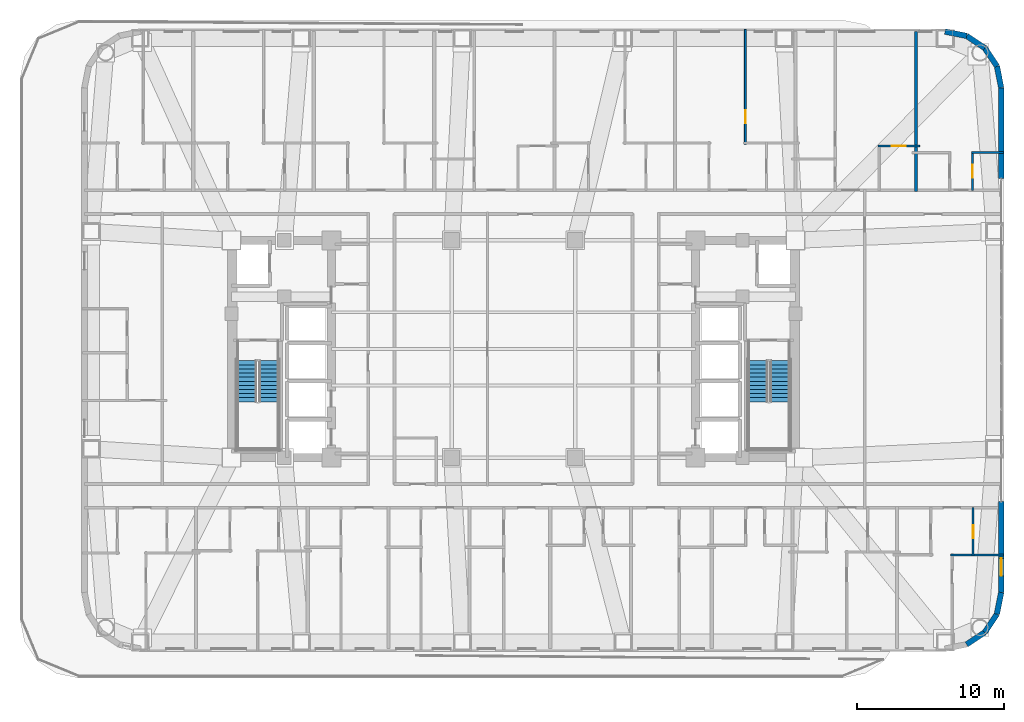
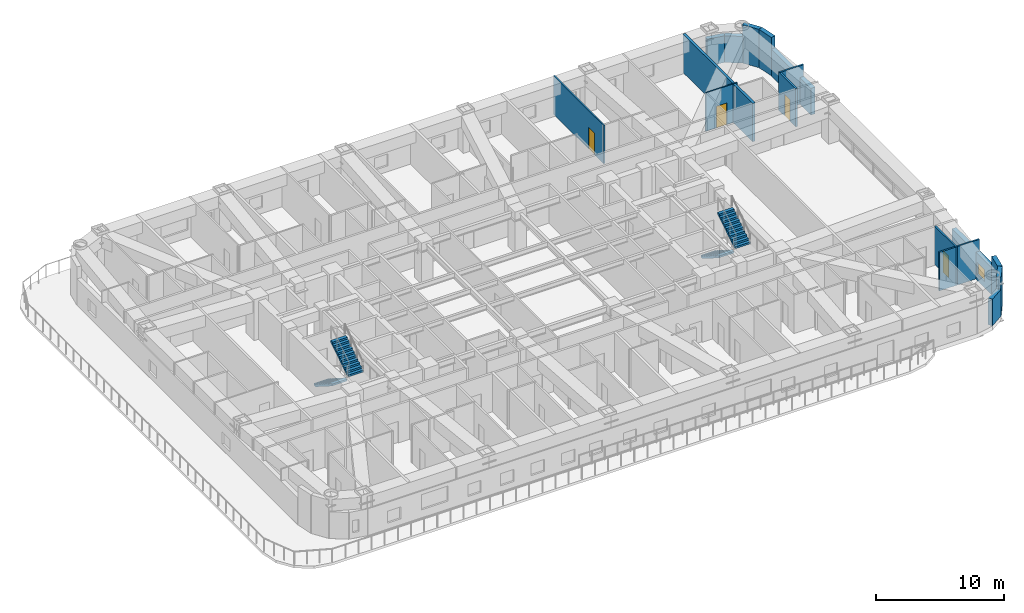
# One storey, part 13 of 18: 16 walls, 4 doors, 4 stair flights, 1 window, 5 openings, 2 elements without a shape of their own.
"""IFC4 building model written with IfcOpenShell, lengths in metres."""

import ifcopenshell
import ifcopenshell.guid

model = None  # the IFC model being written
_history = None  # IfcOwnerHistory: only IFC2X3 demands one
_inside = {}  # id of a spatial element -> (the spatial element, [elements in it])
_under = {}  # id of a project, library or spatial element -> (it, [spatial elements below it])
_declared = {}  # id of a project -> (the project, [libraries it declares])
_typed = {}  # id of a type object -> (the type object, [elements of that type])
_made_of = {}  # id of a material, layer set ... -> (it, [elements and type objects made of it])


def new_model(schema):
    """Start an empty IFC model of exactly this schema.

    Asked for "IFC4X3", IfcOpenShell would pick the latest addendum, in which some entities
    have other attributes; the version numbers below select the first issue.
    IFC2X3 requires an IfcOwnerHistory on every rooted entity: one is made here for all.
    """
    global model, _history
    if schema == "IFC4X3":
        model = ifcopenshell.file(schema_version=(4, 3, 0, 0))
    else:
        model = ifcopenshell.file(schema=schema)
    _inside.clear()
    _under.clear()
    _declared.clear()
    _typed.clear()
    _made_of.clear()
    _history = None
    if model.schema == "IFC2X3":
        org = make("IfcOrganization", Name="unknown")
        user = make(
            "IfcPersonAndOrganization",
            ThePerson=make("IfcPerson", FamilyName="unknown"),
            TheOrganization=org,
        )
        app = make(
            "IfcApplication",
            ApplicationDeveloper=org,
            Version="unknown",
            ApplicationFullName="unknown",
            ApplicationIdentifier="unknown",
        )
        _history = make(
            "IfcOwnerHistory",
            OwningUser=user,
            OwningApplication=app,
            ChangeAction="ADDED",
            CreationDate=0,
        )
    return model


def make(cls, **values):
    """One entity of the class cls with the attributes given. An attribute that is None is left unset."""
    return model.create_entity(
        cls, **{name: value for name, value in values.items() if value is not None}
    )


def rooted(cls, **values):
    """An entity with a GlobalId (a new one), such as an element, a storey or a relation."""
    return make(cls, GlobalId=ifcopenshell.guid.new(), OwnerHistory=_history, **values)


def si_unit(unit_type, name, prefix=None):
    """IfcSIUnit, for example si_unit("LENGTHUNIT", "METRE", prefix="MILLI")."""
    return make("IfcSIUnit", UnitType=unit_type, Prefix=prefix, Name=name)


def assignment(units):
    """IfcUnitAssignment: the units of a project."""
    return None if units is None else make("IfcUnitAssignment", Units=units)


def point(xyz):
    """IfcCartesianPoint."""
    return None if xyz is None else make("IfcCartesianPoint", Coordinates=xyz)


def direction(xyz):
    """IfcDirection."""
    return None if xyz is None else make("IfcDirection", DirectionRatios=xyz)


def frame(location, z_axis=None, x_axis=None):
    """IfcAxis2Placement3D, a coordinate frame: its origin and axes. An axis left out is left unset."""
    return make(
        "IfcAxis2Placement3D",
        Location=point(location),
        Axis=direction(z_axis),
        RefDirection=direction(x_axis),
    )


def frame_2d(location, x_axis=None):
    """IfcAxis2Placement2D, a coordinate frame in the plane: its origin and x axis."""
    return make(
        "IfcAxis2Placement2D", Location=point(location), RefDirection=direction(x_axis)
    )


def origin():
    """The frame at (0, 0, 0) with its axes left unset."""
    return frame((0.0, 0.0, 0.0))


def place(relative_to, where):
    """IfcLocalPlacement: puts the frame where relative to a parent placement (None: the world)."""
    return make(
        "IfcLocalPlacement", PlacementRelTo=relative_to, RelativePlacement=where
    )


def context(
    kind, dimensions, precision=None, world=None, true_north=None, identifier=None
):
    """IfcGeometricRepresentationContext, for example the 3D "Model" context."""
    return make(
        "IfcGeometricRepresentationContext",
        ContextIdentifier=identifier,
        ContextType=kind,
        CoordinateSpaceDimension=dimensions,
        Precision=precision,
        WorldCoordinateSystem=world,
        TrueNorth=true_north,
    )


def subcontext(parent, identifier, kind, view, scale=None):
    """IfcGeometricRepresentationSubContext, for example "Body" below "Model"."""
    return make(
        "IfcGeometricRepresentationSubContext",
        ContextIdentifier=identifier,
        ContextType=kind,
        ParentContext=parent,
        TargetScale=scale,
        TargetView=view,
    )


def project(units=None, contexts=None):
    """IfcProject with its units and contexts."""
    return rooted(
        "IfcProject",
        Name="project",
        RepresentationContexts=contexts,
        UnitsInContext=assignment(units),
    )


def spatial(cls, under=None, at=None, **own):
    """A site, building, storey or space (cls), placed at a placement, below another one or the project."""
    s = rooted(cls, ObjectPlacement=at, **own)
    if under is not None:
        _under.setdefault(under.id(), (under, []))[1].append(s)
    return s


def polyline(points):
    """IfcPolyline through the points."""
    return make("IfcPolyline", Points=[point(p) for p in points])


def profile(cls, at=None, kind="AREA", **sizes):
    """A parametric profile (cls). Its sizes go by their IFC names, for example OverallWidth=200.0."""
    return make(cls, ProfileType=kind, Position=at, **sizes)


def rectangle(**sizes):
    """IfcRectangleProfileDef."""
    return profile("IfcRectangleProfileDef", **sizes)


def outline(outer, holes=None, kind="AREA"):
    """IfcArbitraryClosedProfileDef: a profile drawn as a closed curve; with holes, ...WithVoids."""
    if holes is None:
        return make("IfcArbitraryClosedProfileDef", ProfileType=kind, OuterCurve=outer)
    return make(
        "IfcArbitraryProfileDefWithVoids",
        ProfileType=kind,
        OuterCurve=outer,
        InnerCurves=holes,
    )


def extrude(swept, where, along, depth):
    """IfcExtrudedAreaSolid: the profile swept, set in the frame where, extruded along a direction by depth."""
    return make(
        "IfcExtrudedAreaSolid",
        SweptArea=swept,
        Position=where,
        ExtrudedDirection=direction(along),
        Depth=depth,
    )


def shape(context_of_items, identifier, shape_type, items):
    """IfcShapeRepresentation: the items that make up one representation, for example the "Body"."""
    return make(
        "IfcShapeRepresentation",
        ContextOfItems=context_of_items,
        RepresentationIdentifier=identifier,
        RepresentationType=shape_type,
        Items=items,
    )


def material(Name=None, Category=None):
    """IfcMaterial."""
    return make("IfcMaterial", Name=Name, Category=Category)


def layer(
    of_material, thickness, ventilated=None, Name=None, Category=None, Priority=None
):
    """IfcMaterialLayer: one layer of a wall or slab, of a material (None: an air gap)."""
    return make(
        "IfcMaterialLayer",
        Material=of_material,
        LayerThickness=thickness,
        IsVentilated=ventilated,
        Name=Name,
        Category=Category,
        Priority=Priority,
    )


def layer_set(layers, Name=None):
    """IfcMaterialLayerSet."""
    return make("IfcMaterialLayerSet", MaterialLayers=layers, LayerSetName=Name)


def made_of(thing, what):
    """Note that an element or type object is made of a material, layer set ...; save() writes the relation."""
    if what is not None:
        _made_of.setdefault(what.id(), (what, []))[1].append(thing)
    return thing


def type_object(cls, material=None, **own):
    """A type object (cls), such as IfcWallType, which elements share."""
    return made_of(rooted(cls, **own), material)


def element(
    cls,
    number,
    at=None,
    inside=None,
    cuts=None,
    type_object=None,
    material=None,
    context=None,
    identifier="Body",
    shape_type=None,
    held_by="IfcProductDefinitionShape",
    body=None,
    shapes=None,
    **own,
):
    """One element of the class cls, such as IfcWall. Its Tag is "e" and its number.

    at: its placement. inside: the storey or other place that contains it. cuts: it is an
    opening in that element (IfcRelVoidsElement). A single representation is given by context,
    identifier, shape_type and body (its items); several are given by shapes. held_by: the class
    of the entity that holds the representations. save() writes the other relations.
    """
    e = rooted(cls, Tag="e%d" % number, ObjectPlacement=at, **own)
    if body is not None:
        shapes = [shape(context, identifier, shape_type, body)]
    if shapes is not None:
        e.Representation = make(held_by, Representations=shapes)
    if inside is not None:
        _inside.setdefault(inside.id(), (inside, []))[1].append(e)
    if cuts is not None:
        rooted(
            "IfcRelVoidsElement", RelatingBuildingElement=cuts, RelatedOpeningElement=e
        )
    if type_object is not None:
        _typed.setdefault(type_object.id(), (type_object, []))[1].append(e)
    return made_of(e, material)


def fill(opening, filler):
    """IfcRelFillsElement: the door or window that sits in an opening."""
    return rooted(
        "IfcRelFillsElement",
        RelatingOpeningElement=opening,
        RelatedBuildingElement=filler,
    )


def aggregate(whole, parts):
    """IfcRelAggregates: a whole, such as a stair, and the parts it consists of."""
    return rooted("IfcRelAggregates", RelatingObject=whole, RelatedObjects=parts)


def save(model, path):
    """Write the relations noted so far, then the file.

    IfcRelAggregates (storeys below a building ...), IfcRelContainedInSpatialStructure (elements
    in a storey), IfcRelDefinesByType, IfcRelAssociatesMaterial and IfcRelDeclares: one each for
    every whole, place, type object, material and project.
    """
    for whole, parts in _under.values():
        aggregate(whole, parts)
    for where, things in _inside.values():
        rooted(
            "IfcRelContainedInSpatialStructure",
            RelatedElements=things,
            RelatingStructure=where,
        )
    for kind, things in _typed.values():
        rooted("IfcRelDefinesByType", RelatedObjects=things, RelatingType=kind)
    for what, things in _made_of.values():
        rooted("IfcRelAssociatesMaterial", RelatedObjects=things, RelatingMaterial=what)
    for by, libraries in _declared.values():
        rooted("IfcRelDeclares", RelatingContext=by, RelatedDefinitions=libraries)
    model.write(path)


model = new_model("IFC4")

# Units and contexts
model_context = context("Model", 3, precision=1e-05, world=origin(), true_north=direction((0.0, 1.0)))
body_context = subcontext(model_context, "Body", "Model", "MODEL_VIEW")
ifc_project = project(units=[si_unit("LENGTHUNIT", "METRE"), si_unit("AREAUNIT", "SQUARE_METRE"), si_unit("VOLUMEUNIT", "CUBIC_METRE"), si_unit("PLANEANGLEUNIT", "RADIAN"), si_unit("MASSUNIT", "GRAM", prefix="KILO")], contexts=[model_context])

# Site, building, storey
site_placement = place(None, origin())
site = spatial("IfcSite", under=ifc_project, at=site_placement, CompositionType="ELEMENT")
building_placement = place(site_placement, origin())
building = spatial("IfcBuilding", under=site, at=building_placement, Name="Voryun Gate Residences", CompositionType="ELEMENT")
storey_placement = place(building_placement, frame((0.0, 0.0, 85.800048828125)))
storey = spatial("IfcBuildingStorey", under=building, at=storey_placement, Name="L20", CompositionType="ELEMENT", Elevation=85.800048828125)

# Walls
ifc_material_1 = material(Name="Granite masonry", Category="masonry")
ifc_layer_1 = layer(ifc_material_1, 0.3798828125, Name="W_EXT_GRANITE_380")
ifc_layer_set_1 = layer_set([ifc_layer_1], Name="Granite masonry")
wall_type_1 = type_object("IfcWallType", Name="W_EXT_GRANITE_380", PredefinedType="ELEMENTEDWALL", material=ifc_layer_set_1)
wall_1_placement = place(storey_placement, frame((29.38134765625, 21.610107421875, 0.0), z_axis=(0.0, 0.0, 1.0), x_axis=(0.980755066645, -0.195242155415, 0.0)))
element("IfcWall", 1, at=wall_1_placement, inside=storey, type_object=wall_type_1, Name="Exterior wall WEXT-L20-12", PredefinedType="ELEMENTEDWALL", context=body_context, shape_type="SweptSolid", body=[
    extrude(rectangle(XDim=1.50439453125, YDim=0.3798828125, at=frame_2d((0.752197265625, 0.0))), origin(), (0.0, 0.0, 1.0), 2.5400390625),
])
wall_2_placement = place(storey_placement, frame((30.856689453125, 21.31640625, 0.0), z_axis=(0.0, 0.0, 1.0), x_axis=(0.831468045563, -0.555572577804, 0.0)))
element("IfcWall", 2, at=wall_2_placement, inside=storey, type_object=wall_type_1, Name="Exterior wall WEXT-L20-13", PredefinedType="ELEMENTEDWALL", context=body_context, shape_type="SweptSolid", body=[
    extrude(rectangle(XDim=1.48486328125, YDim=0.3798828125, at=frame_2d((0.742431640625, 0.0))), origin(), (0.0, 0.0, 1.0), 2.5400390625),
])
wall_3_placement = place(storey_placement, frame((32.09130859375, 20.491455078125, 0.0), z_axis=(0.0, 0.0, 1.0), x_axis=(0.555610286119, -0.831442848281, 0.0)))
element("IfcWall", 3, at=wall_3_placement, inside=storey, type_object=wall_type_1, Name="Exterior wall WEXT-L20-14", PredefinedType="ELEMENTEDWALL", context=body_context, shape_type="SweptSolid", body=[
    extrude(rectangle(XDim=1.485107421875, YDim=0.3798828125, at=frame_2d((0.74267578125, 0.0))), origin(), (0.0, 0.0, 1.0), 3.64990234375),
])
wall_4_placement = place(storey_placement, frame((32.91650390625, 19.256591796875, 0.0), z_axis=(0.0, 0.0, 1.0), x_axis=(0.195086038585, -0.980786132421, 0.0)))
element("IfcWall", 4, at=wall_4_placement, inside=storey, type_object=wall_type_1, Name="Exterior wall WEXT-L20-15", PredefinedType="ELEMENTEDWALL", context=body_context, shape_type="SweptSolid", body=[
    extrude(rectangle(XDim=1.504150390625, YDim=0.3798828125, at=frame_2d((0.751953125, 0.0))), origin(), (0.0, 0.0, 1.0), 3.64990234375),
])
wall_5_placement = place(storey_placement, frame((33.2099609375, 17.78125, 0.0), z_axis=(0.0, 0.0, 1.0), x_axis=(0.0, -1.0, 0.0)))
element("IfcWall", 5, at=wall_5_placement, inside=storey, type_object=wall_type_1, Name="Exterior wall WEXT-L20-16A", PredefinedType="ELEMENTEDWALL", context=body_context, shape_type="SweptSolid", body=[
    extrude(rectangle(XDim=6.185302734375, YDim=0.3798828125, at=frame_2d((3.0927734375, 0.0))), origin(), (0.0, 0.0, 1.0), 2.5400390625),
])

# Wall, opening, window
wall_6_placement = place(storey_placement, frame((33.2099609375, -10.39599609375, 0.0), z_axis=(0.0, 0.0, 1.0), x_axis=(0.0, -1.0, 0.0)))
wall_6 = element("IfcWall", 6, at=wall_6_placement, inside=storey, type_object=wall_type_1, Name="Exterior wall WEXT-L20-16B", PredefinedType="ELEMENTEDWALL", context=body_context, shape_type="SweptSolid", body=[
    extrude(rectangle(XDim=6.185302734375, YDim=0.3798828125, at=frame_2d((3.0927734375, 0.0))), origin(), (0.0, 0.0, 1.0), 2.5400390625),
])
opening_1_placement = place(wall_6_placement, frame((3.859619140625, 0.0, 0.550048828125)))
opening_1 = element("IfcOpeningElement", 7, at=opening_1_placement, cuts=wall_6, Name="Opening WN6", PredefinedType="OPENING", context=body_context, shape_type="SweptSolid", body=[
    extrude(rectangle(XDim=1.199951171875, YDim=1.14990234375, at=frame_2d((0.60009765625, 0.574951171875))), frame((0.0, 0.199951171875, 0.0), z_axis=(0.0, -1.0, 0.0), x_axis=(1.0, 0.0, 0.0)), (0.0, 0.0, 1.0), 0.39990234375),
])
ifc_material_2 = material(Name="Laminated low-E glass", Category="glass")
window_type = type_object("IfcWindowType", Name="WN_POD_SLOT_1200", PartitioningType="SINGLE_PANEL", PredefinedType="WINDOW", material=ifc_material_2)
window_placement = place(opening_1_placement, origin())
window = element("IfcWindow", 8, at=window_placement, inside=storey, type_object=window_type, Name="Window WN-L20-DWFIX-28", OverallHeight=1.14990234375, OverallWidth=1.199951171875, PartitioningType="SINGLE_PANEL", PredefinedType="WINDOW", context=body_context, shape_type="SweptSolid", body=[
    extrude(rectangle(XDim=1.199951171875, YDim=1.14990234375, at=frame_2d((0.60009765625, 0.574951171875))), frame((0.0, 0.030029296875, 0.0), z_axis=(0.0, -1.0, 0.0), x_axis=(1.0, 0.0, 0.0)), (0.0, 0.0, 1.0), 0.06005859375),
])
fill(opening_1, window)

# Walls
wall_7_placement = place(storey_placement, frame((33.2099609375, -16.581298828125, 0.0), z_axis=(0.0, 0.0, 1.0), x_axis=(-0.195086038585, -0.980786132421, 0.0)))
element("IfcWall", 9, at=wall_7_placement, inside=storey, type_object=wall_type_1, Name="Exterior wall WEXT-L20-17", PredefinedType="ELEMENTEDWALL", context=body_context, shape_type="SweptSolid", body=[
    extrude(rectangle(XDim=1.504150390625, YDim=0.3798828125, at=frame_2d((0.751953125, 0.0))), origin(), (0.0, 0.0, 1.0), 3.64990234375),
])
wall_8_placement = place(storey_placement, frame((32.91650390625, -18.056640625, 0.0), z_axis=(0.0, 0.0, 1.0), x_axis=(-0.555610286119, -0.831442848281, 0.0)))
element("IfcWall", 10, at=wall_8_placement, inside=storey, type_object=wall_type_1, Name="Exterior wall WEXT-L20-18", PredefinedType="ELEMENTEDWALL", context=body_context, shape_type="SweptSolid", body=[
    extrude(rectangle(XDim=1.485107421875, YDim=0.3798828125, at=frame_2d((0.74267578125, 0.0))), origin(), (0.0, 0.0, 1.0), 3.64990234375),
])
wall_9_placement = place(storey_placement, frame((32.09130859375, -19.29150390625, 0.0), z_axis=(0.0, 0.0, 1.0), x_axis=(-0.831468045563, -0.555572577804, 0.0)))
element("IfcWall", 11, at=wall_9_placement, inside=storey, type_object=wall_type_1, Name="Exterior wall WEXT-L20-19", PredefinedType="ELEMENTEDWALL", context=body_context, shape_type="SweptSolid", body=[
    extrude(rectangle(XDim=1.48486328125, YDim=0.3798828125, at=frame_2d((0.742431640625, 0.0))), origin(), (0.0, 0.0, 1.0), 2.5400390625),
])
ifc_material_3 = material(Name="Concrete C40/50", Category="concrete")
ifc_layer_2 = layer(ifc_material_3, 0.219970703125, Name="W_PARTY_ACOUSTIC_220")
ifc_layer_set_2 = layer_set([ifc_layer_2], Name="Concrete C40/50")
wall_type_2 = type_object("IfcWallType", Name="W_PARTY_ACOUSTIC_220", PredefinedType="PARTITIONING", material=ifc_layer_set_2)
wall_10_placement = place(storey_placement, frame((27.39990234375, 10.719970703125, 0.0), z_axis=(0.0, 0.0, 1.0), x_axis=(0.0, 1.0, 0.0)))
element("IfcWall", 12, at=wall_10_placement, inside=storey, type_object=wall_type_2, Name="Partition wall WP-L20-NPTY-7", PredefinedType="PARTITIONING", context=body_context, shape_type="SweptSolid", body=[
    extrude(rectangle(XDim=10.89013671875, YDim=0.219970703125, at=frame_2d((5.445068359375, 0.0))), origin(), (0.0, 0.0, 1.0), 3.64990234375),
])

# Wall, opening, door
ifc_material_4 = material(Name="Gypsum acoustic partition")
ifc_layer_3 = layer(ifc_material_4, 0.125, Name="W_UNIT_PART_125")
ifc_layer_set_3 = layer_set([ifc_layer_3], Name="Gypsum acoustic partition")
wall_type_3 = type_object("IfcWallType", Name="W_UNIT_PART_125", PredefinedType="PARTITIONING", material=ifc_layer_set_3)
wall_11_placement = place(storey_placement, frame((15.7900390625, 13.93994140625, 0.0), z_axis=(0.0, 0.0, 1.0), x_axis=(0.0, 1.0, 0.0)))
wall_11 = element("IfcWall", 13, at=wall_11_placement, inside=storey, type_object=wall_type_3, Name="Partition wall WP-L20-N6-OVR", PredefinedType="PARTITIONING", context=body_context, shape_type="SweptSolid", body=[
    extrude(rectangle(XDim=7.820068359375, YDim=0.125, at=frame_2d((3.91015625, 0.0))), origin(), (0.0, 0.0, 1.0), 3.64990234375),
])
opening_2_placement = place(wall_11_placement, frame((1.4267578125, 0.0, 0.0)))
opening_2 = element("IfcOpeningElement", 14, at=opening_2_placement, cuts=wall_11, Name="Opening D-INT-2", PredefinedType="OPENING", context=body_context, shape_type="SweptSolid", body=[
    extrude(rectangle(XDim=0.89990234375, YDim=2.050048828125, at=frame_2d((0.449951171875, 1.02490234375))), frame((0.0, 0.072509765625, 0.0), z_axis=(0.0, -1.0, 0.0), x_axis=(1.0, 0.0, 0.0)), (0.0, 0.0, 1.0), 0.14501953125),
])
ifc_material_5 = material(Name="Architectural oak veneer")
door_type_1 = type_object("IfcDoorType", Name="DR_INT_BATH_900", OperationType="NOTDEFINED", PredefinedType="DOOR", material=ifc_material_5)
door_1_placement = place(opening_2_placement, origin())
door_1 = element("IfcDoor", 15, at=door_1_placement, inside=storey, type_object=door_type_1, Name="Door DR-L20-N6-DMB", OperationType="SINGLE_SWING_RIGHT", OverallHeight=2.050048828125, OverallWidth=0.89990234375, PredefinedType="DOOR", context=body_context, shape_type="SweptSolid", body=[
    extrude(rectangle(XDim=0.89990234375, YDim=2.050048828125, at=frame_2d((0.449951171875, 1.02490234375))), frame((0.0, 0.02490234375, 0.0), z_axis=(0.0, -1.0, 0.0), x_axis=(1.0, 0.0, 0.0)), (0.0, 0.0, 1.0), 0.050048828125),
])
fill(opening_2, door_1)

wall_12_placement = place(storey_placement, frame((24.8359375, 13.820068359375, 0.0), z_axis=(0.0, 0.0, 1.0), x_axis=(1.0, 0.0, 0.0)))
wall_12 = element("IfcWall", 16, at=wall_12_placement, inside=storey, type_object=wall_type_3, Name="Partition wall WP-L20-N7-KHY", PredefinedType="PARTITIONING", context=body_context, shape_type="SweptSolid", body=[
    extrude(rectangle(XDim=2.823974609375, YDim=0.125, at=frame_2d((1.412109375, 0.0))), origin(), (0.0, 0.0, 1.0), 3.64990234375),
])
opening_3_placement = place(wall_12_placement, frame((0.93701171875, 0.0, 0.0)))
opening_3 = element("IfcOpeningElement", 17, at=opening_3_placement, cuts=wall_12, Name="Opening D-INT-1", PredefinedType="OPENING", context=body_context, shape_type="SweptSolid", body=[
    extrude(rectangle(XDim=0.949951171875, YDim=2.050048828125, at=frame_2d((0.47509765625, 1.02490234375))), frame((0.0, 0.072509765625, 0.0), z_axis=(0.0, -1.0, 0.0), x_axis=(1.0, 0.0, 0.0)), (0.0, 0.0, 1.0), 0.14501953125),
])
ifc_material_6 = material(Name="Architectural oak veneer")
door_type_2 = type_object("IfcDoorType", Name="DR_INT_ROOM_950", OperationType="NOTDEFINED", PredefinedType="DOOR", material=ifc_material_6)
door_2_placement = place(opening_3_placement, origin())
door_2 = element("IfcDoor", 18, at=door_2_placement, inside=storey, type_object=door_type_2, Name="Door DR-L20-N7-DK", OperationType="SINGLE_SWING_LEFT", OverallHeight=2.050048828125, OverallWidth=0.949951171875, PredefinedType="DOOR", context=body_context, shape_type="SweptSolid", body=[
    extrude(rectangle(XDim=0.949951171875, YDim=2.050048828125, at=frame_2d((0.47509765625, 1.02490234375))), frame((0.0, 0.02490234375, 0.0), z_axis=(0.0, -1.0, 0.0), x_axis=(1.0, 0.0, 0.0)), (0.0, 0.0, 1.0), 0.050048828125),
])
fill(opening_3, door_2)

ifc_material_7 = material(Name="Gypsum moisture-resistant partition")
ifc_layer_4 = layer(ifc_material_7, 0.14990234375, Name="W_WET_PLUMB_150")
ifc_layer_set_4 = layer_set([ifc_layer_4], Name="Gypsum moisture-resistant partition")
wall_type_4 = type_object("IfcWallType", Name="W_WET_PLUMB_150", PredefinedType="PLUMBINGWALL", material=ifc_layer_set_4)
wall_13_placement = place(storey_placement, frame((31.260009765625, 10.780029296875, 0.0), z_axis=(0.0, 0.0, 1.0), x_axis=(0.0, 1.0, 0.0)))
wall_13 = element("IfcWall", 19, at=wall_13_placement, inside=storey, type_object=wall_type_4, Name="Partition wall WP-L20-N8-CVB", PredefinedType="PLUMBINGWALL", context=body_context, shape_type="SweptSolid", body=[
    extrude(rectangle(XDim=2.64990234375, YDim=0.14990234375, at=frame_2d((1.324951171875, 0.0))), origin(), (0.0, 0.0, 1.0), 3.64990234375),
])
opening_4_placement = place(wall_13_placement, frame((0.875, 0.0, 0.0)))
opening_4 = element("IfcOpeningElement", 20, at=opening_4_placement, cuts=wall_13, Name="Opening D-INT-2", PredefinedType="OPENING", context=body_context, shape_type="SweptSolid", body=[
    extrude(rectangle(XDim=0.89990234375, YDim=2.050048828125, at=frame_2d((0.449951171875, 1.02490234375))), frame((0.0, 0.0849609375, 0.0), z_axis=(0.0, -1.0, 0.0), x_axis=(1.0, 0.0, 0.0)), (0.0, 0.0, 1.0), 0.169921875),
])
door_3_placement = place(opening_4_placement, origin())
door_3 = element("IfcDoor", 21, at=door_3_placement, inside=storey, type_object=door_type_1, Name="Door DR-L20-N8-DB", OperationType="SINGLE_SWING_RIGHT", OverallHeight=2.050048828125, OverallWidth=0.89990234375, PredefinedType="DOOR", context=body_context, shape_type="SweptSolid", body=[
    extrude(rectangle(XDim=0.89990234375, YDim=2.050048828125, at=frame_2d((0.449951171875, 1.02490234375))), frame((0.0, 0.02490234375, 0.0), z_axis=(0.0, -1.0, 0.0), x_axis=(1.0, 0.0, 0.0)), (0.0, 0.0, 1.0), 0.050048828125),
])
fill(opening_4, door_3)

# Walls
wall_14_placement = place(storey_placement, frame((31.199951171875, 13.3701171875, 0.0), z_axis=(0.0, 0.0, 1.0), x_axis=(1.0, 0.0, 0.0)))
element("IfcWall", 22, at=wall_14_placement, inside=storey, type_object=wall_type_4, Name="Partition wall WP-L20-N8-CHB", PredefinedType="PLUMBINGWALL", context=body_context, shape_type="SweptSolid", body=[
    extrude(rectangle(XDim=2.16015625, YDim=0.14990234375, at=frame_2d((1.080078125, 0.0))), origin(), (0.0, 0.0, 1.0), 3.64990234375),
])
wall_15_placement = place(storey_placement, frame((29.748046875, -14.02001953125, 0.0), z_axis=(0.0, 0.0, 1.0), x_axis=(1.0, 0.0, 0.0)))
element("IfcWall", 23, at=wall_15_placement, inside=storey, type_object=wall_type_4, Name="Partition wall WP-L20-S10-HZB", PredefinedType="PLUMBINGWALL", context=body_context, shape_type="SweptSolid", body=[
    extrude(rectangle(XDim=3.612060546875, YDim=0.14990234375, at=frame_2d((1.80615234375, 0.0))), origin(), (0.0, 0.0, 1.0), 3.64990234375),
])

# Wall, opening, door
wall_16_placement = place(storey_placement, frame((31.298095703125, -14.10009765625, 0.0), z_axis=(0.0, 0.0, 1.0), x_axis=(0.0, 1.0, 0.0)))
wall_16 = element("IfcWall", 24, at=wall_16_placement, inside=storey, type_object=wall_type_4, Name="Partition wall WP-L20-S10-IVB", PredefinedType="PLUMBINGWALL", context=body_context, shape_type="SweptSolid", body=[
    extrude(rectangle(XDim=3.320068359375, YDim=0.14990234375, at=frame_2d((1.66015625, 0.0))), origin(), (0.0, 0.0, 1.0), 3.64990234375),
])
opening_5_placement = place(wall_16_placement, frame((1.2099609375, 0.0, 0.0)))
opening_5 = element("IfcOpeningElement", 25, at=opening_5_placement, cuts=wall_16, Name="Opening D-INT-2", PredefinedType="OPENING", context=body_context, shape_type="SweptSolid", body=[
    extrude(rectangle(XDim=0.89990234375, YDim=2.050048828125, at=frame_2d((0.449951171875, 1.02490234375))), frame((0.0, 0.0849609375, 0.0), z_axis=(0.0, -1.0, 0.0), x_axis=(1.0, 0.0, 0.0)), (0.0, 0.0, 1.0), 0.169921875),
])
door_4_placement = place(opening_5_placement, origin())
door_4 = element("IfcDoor", 26, at=door_4_placement, inside=storey, type_object=door_type_1, Name="Door DR-L20-S10-DB", OperationType="SINGLE_SWING_RIGHT", OverallHeight=2.050048828125, OverallWidth=0.89990234375, PredefinedType="DOOR", context=body_context, shape_type="SweptSolid", body=[
    extrude(rectangle(XDim=0.89990234375, YDim=2.050048828125, at=frame_2d((0.449951171875, 1.02490234375))), frame((0.0, 0.02490234375, 0.0), z_axis=(0.0, -1.0, 0.0), x_axis=(1.0, 0.0, 0.0)), (0.0, 0.0, 1.0), 0.050048828125),
])
fill(opening_5, door_4)

# Stair, stair flights
ifc_material_8 = material(Name="Concrete C40/50", Category="concrete")
stair_type = type_object("IfcStairType", Name="STR_CORE_DOGLEG_1350", PredefinedType="HALF_TURN_STAIR", material=ifc_material_8)
stair_1_placement = place(storey_placement, origin())
stair_1 = element("IfcStair", 27, at=stair_1_placement, inside=storey, type_object=stair_type, Name="L20 Special Escape Stair ST-W1", PredefinedType="HALF_TURN_STAIR")
ifc_material_9 = material(Name="Concrete C40/50", Category="concrete")
stair_flight_type = type_object("IfcStairFlightType", Name="FLT_CORE_1350", PredefinedType="STRAIGHT", material=ifc_material_9)
stair_flight_1_placement = place(storey_placement, frame((-18.14990234375, -0.800048828125, 0.0), z_axis=(0.0, 0.0, 1.0), x_axis=(0.0, -1.0, 0.0)))
stair_flight_1 = element("IfcStairFlight", 28, at=stair_flight_1_placement, type_object=stair_flight_type, Name="ST-W1 flight 1", NumberOfRisers=11, NumberOfTreads=10, PredefinedType="STRAIGHT", RiserHeight=0.177272727, TreadLength=0.28, context=body_context, shape_type="SweptSolid", body=[
    extrude(outline(polyline([(0.0, 0.0), (0.0, 0.17724609375), (0.280029296875, 0.17724609375), (0.280029296875, 0.3544921875), (0.56005859375, 0.3544921875), (0.56005859375, 0.53173828125), (0.840087890625, 0.53173828125), (0.840087890625, 0.708984375), (1.1201171875, 0.708984375), (1.1201171875, 0.886474609375), (1.39990234375, 0.886474609375), (1.39990234375, 1.063720703125), (1.679931640625, 1.063720703125), (1.679931640625, 1.240966796875), (1.9599609375, 1.240966796875), (1.9599609375, 1.418212890625), (2.239990234375, 1.418212890625), (2.239990234375, 1.595458984375), (2.52001953125, 1.595458984375), (2.52001953125, 1.772705078125), (2.800048828125, 1.772705078125), (2.800048828125, 1.949951171875), (2.800048828125, 1.59521484375), (0.2802734375, 0.0), (0.0, 0.0)])), frame((0.0, 0.675048828125, 0.0), z_axis=(0.0, -1.0, 0.0), x_axis=(1.0, 0.0, 0.0)), (0.0, 0.0, 1.0), 1.35009765625),
])
stair_flight_2_placement = place(storey_placement, frame((-16.64990234375, -3.60009765625, 1.949951171875), z_axis=(0.0, 0.0, 1.0), x_axis=(0.0, 1.0, 0.0)))
stair_flight_2 = element("IfcStairFlight", 29, at=stair_flight_2_placement, type_object=stair_flight_type, Name="ST-W1 flight 2", NumberOfRisers=11, NumberOfTreads=10, PredefinedType="STRAIGHT", RiserHeight=0.177272727, TreadLength=0.28, context=body_context, shape_type="SweptSolid", body=[
    extrude(outline(polyline([(0.0, 0.0), (0.0, 0.17724609375), (0.280029296875, 0.17724609375), (0.280029296875, 0.3544921875), (0.56005859375, 0.3544921875), (0.56005859375, 0.53173828125), (0.840087890625, 0.53173828125), (0.840087890625, 0.708984375), (1.1201171875, 0.708984375), (1.1201171875, 0.886474609375), (1.39990234375, 0.886474609375), (1.39990234375, 1.063720703125), (1.679931640625, 1.063720703125), (1.679931640625, 1.240966796875), (1.9599609375, 1.240966796875), (1.9599609375, 1.418212890625), (2.239990234375, 1.418212890625), (2.239990234375, 1.595458984375), (2.52001953125, 1.595458984375), (2.52001953125, 1.772705078125), (2.800048828125, 1.772705078125), (2.800048828125, 1.949951171875), (2.800048828125, 1.59521484375), (0.2802734375, 0.0), (0.0, 0.0)])), frame((0.0, 0.675048828125, 0.0), z_axis=(0.0, -1.0, 0.0), x_axis=(1.0, 0.0, 0.0)), (0.0, 0.0, 1.0), 1.35009765625),
])
aggregate(stair_1, [stair_flight_1, stair_flight_2])

stair_2_placement = place(storey_placement, origin())
stair_2 = element("IfcStair", 30, at=stair_2_placement, inside=storey, type_object=stair_type, Name="L20 Special Escape Stair ST-E1", PredefinedType="HALF_TURN_STAIR")
stair_flight_3_placement = place(storey_placement, frame((16.64990234375, -0.800048828125, 0.0), z_axis=(0.0, 0.0, 1.0), x_axis=(0.0, -1.0, 0.0)))
stair_flight_3 = element("IfcStairFlight", 31, at=stair_flight_3_placement, type_object=stair_flight_type, Name="ST-E1 flight 1", NumberOfRisers=11, NumberOfTreads=10, PredefinedType="STRAIGHT", RiserHeight=0.177272727, TreadLength=0.28, context=body_context, shape_type="SweptSolid", body=[
    extrude(outline(polyline([(0.0, 0.0), (0.0, 0.17724609375), (0.280029296875, 0.17724609375), (0.280029296875, 0.3544921875), (0.56005859375, 0.3544921875), (0.56005859375, 0.53173828125), (0.840087890625, 0.53173828125), (0.840087890625, 0.708984375), (1.1201171875, 0.708984375), (1.1201171875, 0.886474609375), (1.39990234375, 0.886474609375), (1.39990234375, 1.063720703125), (1.679931640625, 1.063720703125), (1.679931640625, 1.240966796875), (1.9599609375, 1.240966796875), (1.9599609375, 1.418212890625), (2.239990234375, 1.418212890625), (2.239990234375, 1.595458984375), (2.52001953125, 1.595458984375), (2.52001953125, 1.772705078125), (2.800048828125, 1.772705078125), (2.800048828125, 1.949951171875), (2.800048828125, 1.59521484375), (0.2802734375, 0.0), (0.0, 0.0)])), frame((0.0, 0.675048828125, 0.0), z_axis=(0.0, -1.0, 0.0), x_axis=(1.0, 0.0, 0.0)), (0.0, 0.0, 1.0), 1.35009765625),
])
stair_flight_4_placement = place(storey_placement, frame((18.14990234375, -3.60009765625, 1.949951171875), z_axis=(0.0, 0.0, 1.0), x_axis=(0.0, 1.0, 0.0)))
stair_flight_4 = element("IfcStairFlight", 32, at=stair_flight_4_placement, type_object=stair_flight_type, Name="ST-E1 flight 2", NumberOfRisers=11, NumberOfTreads=10, PredefinedType="STRAIGHT", RiserHeight=0.177272727, TreadLength=0.28, context=body_context, shape_type="SweptSolid", body=[
    extrude(outline(polyline([(0.0, 0.0), (0.0, 0.17724609375), (0.280029296875, 0.17724609375), (0.280029296875, 0.3544921875), (0.56005859375, 0.3544921875), (0.56005859375, 0.53173828125), (0.840087890625, 0.53173828125), (0.840087890625, 0.708984375), (1.1201171875, 0.708984375), (1.1201171875, 0.886474609375), (1.39990234375, 0.886474609375), (1.39990234375, 1.063720703125), (1.679931640625, 1.063720703125), (1.679931640625, 1.240966796875), (1.9599609375, 1.240966796875), (1.9599609375, 1.418212890625), (2.239990234375, 1.418212890625), (2.239990234375, 1.595458984375), (2.52001953125, 1.595458984375), (2.52001953125, 1.772705078125), (2.800048828125, 1.772705078125), (2.800048828125, 1.949951171875), (2.800048828125, 1.59521484375), (0.2802734375, 0.0), (0.0, 0.0)])), frame((0.0, 0.675048828125, 0.0), z_axis=(0.0, -1.0, 0.0), x_axis=(1.0, 0.0, 0.0)), (0.0, 0.0, 1.0), 1.35009765625),
])
aggregate(stair_2, [stair_flight_3, stair_flight_4])

save(model, "model.ifc")
